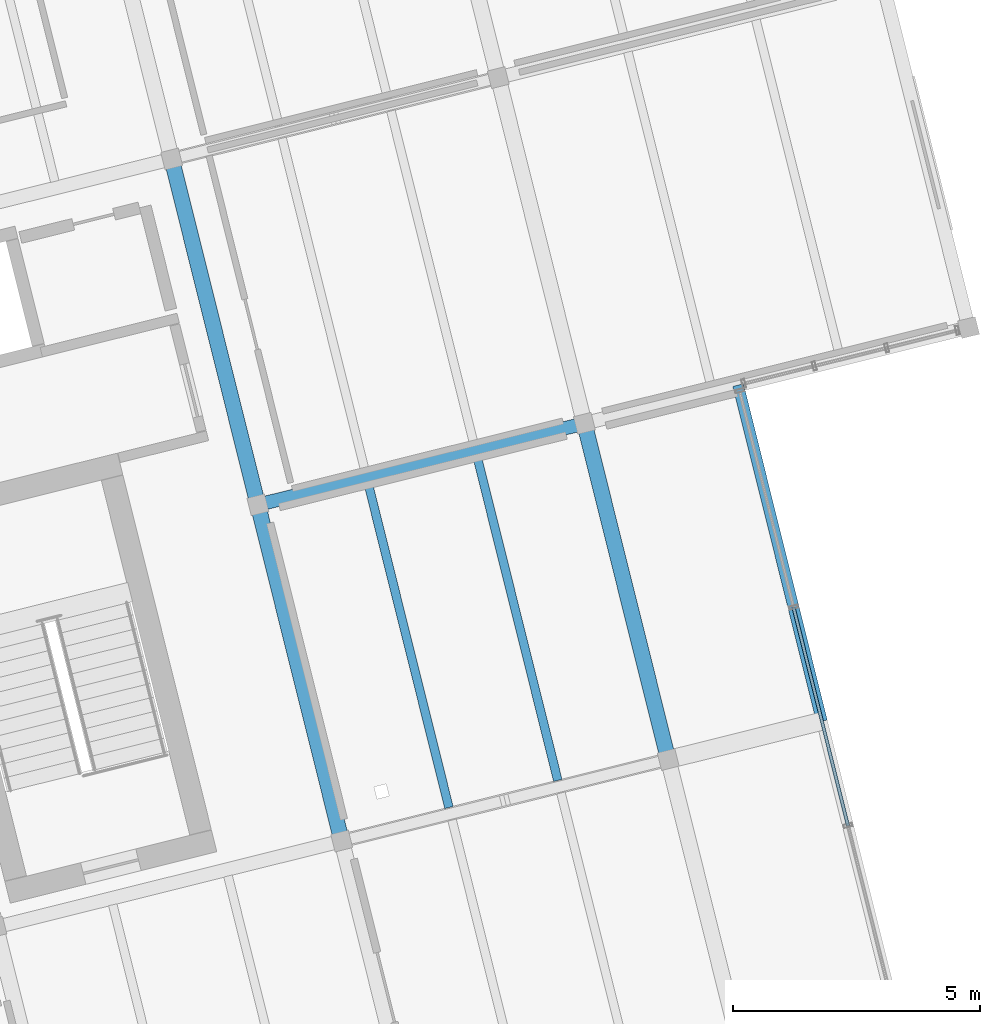
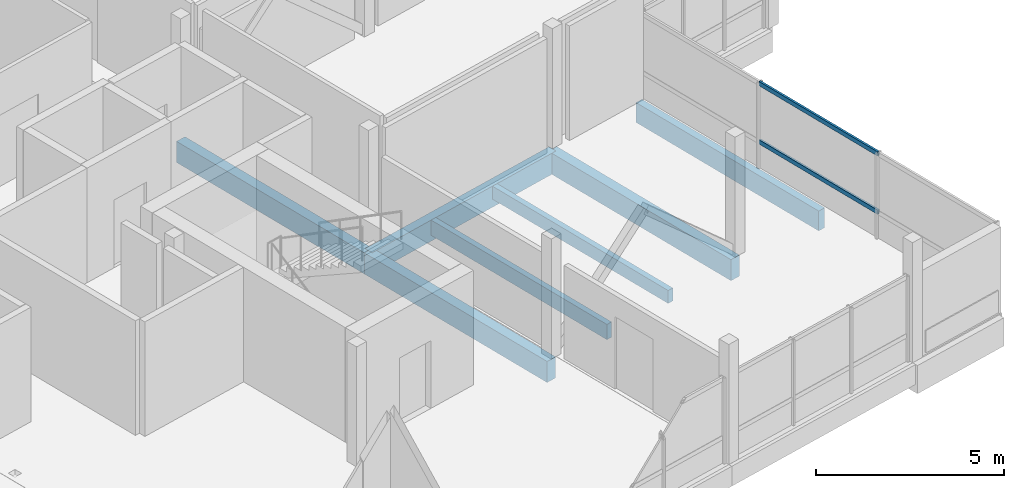
# One storey, part 13 of 28: 7 beams, 2 members, 1 element without a shape of its own.
"""IFC4 building model written with IfcOpenShell, lengths in metres."""

from ifc_helpers import new_model, si_unit, direction, frame, origin, origin_2d, place, context, subcontext, project, spatial, rectangle, hollow_rectangle, extrude, material, layer, layer_set, material_profile, profile_set, type_object, element, aggregate, save


model = new_model("IFC4")

# Units and contexts
model_context = context("Model", 3, precision=1e-05, world=origin(), true_north=direction((0.0, 1.0)))
body_context = subcontext(model_context, "Body", "Model", "MODEL_VIEW")
ifc_project = project(units=[si_unit("LENGTHUNIT", "METRE"), si_unit("AREAUNIT", "SQUARE_METRE"), si_unit("VOLUMEUNIT", "CUBIC_METRE"), si_unit("PLANEANGLEUNIT", "RADIAN"), si_unit("MASSUNIT", "GRAM", prefix="KILO")], contexts=[model_context])

# Site, building, storey
site_placement = place(None, origin())
site = spatial("IfcSite", under=ifc_project, at=site_placement, CompositionType="ELEMENT")
building_placement = place(site_placement, origin())
building = spatial("IfcBuilding", under=site, at=building_placement, Name="Meriwether Solvik Hall", CompositionType="ELEMENT")
storey_placement = place(building_placement, frame((0.0, 0.0, 37.800048828125)))
storey = spatial("IfcBuildingStorey", under=building, at=storey_placement, Name="L09", CompositionType="ELEMENT", Elevation=37.800048828125)

# Beams
ifc_material_1 = material(Name="Glulam Douglas-Fir 24F-V8 GL28h", Category="wood")
ifc_material_profile_1 = material_profile(ifc_material_1, rectangle(XDim=0.221923828125, YDim=0.64501953125, at=origin_2d()), Name="GLB-222X645")
ifc_profile_set_1 = profile_set([ifc_material_profile_1], Name="Glulam Douglas-Fir 24F-V8 GL28h")
beam_type_1 = type_object("IfcBeamType", Name="BM-GL-222X645", PredefinedType="SPANDREL", material=ifc_profile_set_1)
beam_1_placement = place(storey_placement, frame((104.990478515625, 57.28125, -0.50244140625), z_axis=(-0.241903692719, 0.970300264582, 0.0), x_axis=(-0.970300264582, -0.241903692719, 0.0)))
element("IfcBeam", 1, at=beam_1_placement, inside=storey, type_object=beam_type_1, Name="Shard Edge Spandrel 2 (L09)", PredefinedType="SPANDREL", context=body_context, shape_type="SweptSolid", body=[
    extrude(rectangle(XDim=0.221923828125, YDim=0.64501953125, at=origin_2d()), origin(), (0.0, 0.0, 1.0), 7.000244140625),
])
ifc_material_2 = material(Name="Glulam Douglas-Fir 24F-V8 GL28h", Category="wood")
ifc_material_profile_2 = material_profile(ifc_material_2, rectangle(XDim=0.27294921875, YDim=0.68505859375, at=origin_2d()), Name="GLB-273X685")
ifc_profile_set_2 = profile_set([ifc_material_profile_2], Name="Glulam Douglas-Fir 24F-V8 GL28h")
beam_type_2 = type_object("IfcBeamType", Name="BM-GL-273X685", PredefinedType="BEAM", material=ifc_profile_set_2)
beam_2_placement = place(storey_placement, frame((93.593994140625, 61.654296875, -0.5224609375), z_axis=(0.970298579828, 0.24191045034, 0.0), x_axis=(-0.24191045034, 0.970298579828, 0.0)))
element("IfcBeam", 2, at=beam_2_placement, inside=storey, type_object=beam_type_2, Name="Tower Girder TC:T5-T6 (L09)", PredefinedType="BEAM", context=body_context, shape_type="SweptSolid", body=[
    extrude(rectangle(XDim=0.27294921875, YDim=0.68505859375, at=origin_2d()), origin(), (0.0, 0.0, 1.0), 6.800048828125),
])
ifc_material_3 = material(Name="Glulam Douglas-Fir 24F-V8 GL28h", Category="wood")
ifc_material_profile_3 = material_profile(ifc_material_3, rectangle(XDim=0.31494140625, YDim=0.68505859375, at=origin_2d()), Name="GLB-315X685")
ifc_profile_set_3 = profile_set([ifc_material_profile_3], Name="Glulam Douglas-Fir 24F-V8 GL28h")
beam_type_3 = type_object("IfcBeamType", Name="BM-GL-315X685", PredefinedType="BEAM", material=ifc_profile_set_3)
beam_3_placement = place(storey_placement, frame((95.28759765625, 54.862060546875, -0.5224609375), z_axis=(-0.241936527961, 0.970292077901, 0.0), x_axis=(-0.970292077901, -0.241936527961, 0.0)))
element("IfcBeam", 3, at=beam_3_placement, inside=storey, type_object=beam_type_3, Name="Tower Girder T5:TB-TC (L09)", PredefinedType="BEAM", context=body_context, shape_type="SweptSolid", body=[
    extrude(rectangle(XDim=0.31494140625, YDim=0.68505859375, at=origin_2d()), origin(), (0.0, 0.0, 1.0), 7.000244140625),
])
beam_4_placement = place(storey_placement, frame((93.593994140625, 61.654296875, -0.5224609375), z_axis=(-0.241905269381, 0.970299871507, 0.0), x_axis=(-0.970299871507, -0.241905269381, 0.0)))
element("IfcBeam", 4, at=beam_4_placement, inside=storey, type_object=beam_type_3, Name="Tower Girder T5:TC-TD (L09)", PredefinedType="BEAM", context=body_context, shape_type="SweptSolid", body=[
    extrude(rectangle(XDim=0.31494140625, YDim=0.68505859375, at=origin_2d()), origin(), (0.0, 0.0, 1.0), 7.199951171875),
])
beam_5_placement = place(storey_placement, frame((101.885498046875, 56.507080078125, -0.5224609375), z_axis=(-0.241903692719, 0.970300264582, 0.0), x_axis=(-0.970300264582, -0.241903692719, 0.0)))
element("IfcBeam", 5, at=beam_5_placement, inside=storey, type_object=beam_type_3, Name="Tower Girder T6:TB-TC (L09)", PredefinedType="BEAM", context=body_context, shape_type="SweptSolid", body=[
    extrude(rectangle(XDim=0.31494140625, YDim=0.68505859375, at=origin_2d()), origin(), (0.0, 0.0, 1.0), 7.000244140625),
])

# Curtain wall, members
ifc_material_4 = material(Name="Thermally Broken Anodised Aluminium 6063-T6 and Low-E Glass", Category="aluminium")
ifc_layer = layer(ifc_material_4, 0.179931640625)
ifc_layer_set = layer_set([ifc_layer], Name="Thermally Broken Anodised Aluminium 6063-T6 and Low-E Glass")
curtain_wall_type = type_object("IfcCurtainWallType", Name="CW-UNIT-A", PredefinedType="USERDEFINED", material=ifc_layer_set)
curtain_wall_placement = place(storey_placement, origin())
curtain_wall = element("IfcCurtainWall", 6, at=curtain_wall_placement, inside=storey, type_object=curtain_wall_type, Name="Curtain Wall E1_B0 (L09)", ObjectType="UNITISED CURTAIN WALL", PredefinedType="USERDEFINED")
ifc_material_5 = material(Name="Anodised Aluminium 6063-T6", Category="aluminium")
ifc_material_profile_4 = material_profile(ifc_material_5, hollow_rectangle(XDim=0.06494140625, YDim=0.139892578125, WallThickness=0.00439453125, at=origin_2d()), Name="CWT-65X140")
ifc_profile_set_4 = profile_set([ifc_material_profile_4], Name="Anodised Aluminium 6063-T6")
member_type = type_object("IfcMemberType", Name="CW-TRN-65X140", PredefinedType="USERDEFINED", material=ifc_profile_set_4)
member_1_placement = place(storey_placement, frame((104.416259765625, 59.584228515625, 0.8369140625), z_axis=(0.24195440074, -0.970287621256, 0.0), x_axis=(0.970287621256, 0.24195440074, 0.0)))
member_1 = element("IfcMember", 7, at=member_1_placement, type_object=member_type, Name="Curtain Wall Transom 2-sill", ObjectType="TRANSOM", PredefinedType="USERDEFINED", context=body_context, shape_type="SweptSolid", body=[
    extrude(hollow_rectangle(XDim=0.06494140625, YDim=0.139892578125, WallThickness=0.00439453125, at=origin_2d()), origin(), (0.0, 0.0, 1.0), 4.546630859375),
])
member_2_placement = place(storey_placement, frame((104.416259765625, 59.584228515625, 2.72998046875), z_axis=(0.24195440074, -0.970287621256, 0.0), x_axis=(0.970287621256, 0.24195440074, 0.0)))
member_2 = element("IfcMember", 8, at=member_2_placement, type_object=member_type, Name="Curtain Wall Transom 2-head", ObjectType="TRANSOM", PredefinedType="USERDEFINED", context=body_context, shape_type="SweptSolid", body=[
    extrude(hollow_rectangle(XDim=0.06494140625, YDim=0.139892578125, WallThickness=0.00439453125, at=origin_2d()), origin(), (0.0, 0.0, 1.0), 4.546630859375),
])
aggregate(curtain_wall, [member_1, member_2])

# Beams
ifc_material_6 = material(Name="Glulam Douglas-Fir 24F-V8 GL28h", Category="wood")
ifc_material_profile_5 = material_profile(ifc_material_6, rectangle(XDim=0.175048828125, YDim=0.419921875, at=origin_2d()), Name="GLJ-175X420")
ifc_profile_set_5 = profile_set([ifc_material_profile_5], Name="Glulam Douglas-Fir 24F-V8 GL28h")
beam_type_4 = type_object("IfcBeamType", Name="JST-GL-175X420", PredefinedType="JOIST", material=ifc_profile_set_5)
beam_6_placement = place(storey_placement, frame((99.654296875, 56.08642578125, -0.39013671875), z_axis=(-0.241896058636, 0.970302167789, 0.0), x_axis=(-0.970302167789, -0.241896058636, 0.0)))
element("IfcBeam", 9, at=beam_6_placement, inside=storey, type_object=beam_type_4, Name="Glulam Floor Joist T5/TB-J2 (L09)", PredefinedType="JOIST", context=body_context, shape_type="SweptSolid", body=[
    extrude(rectangle(XDim=0.175048828125, YDim=0.419921875, at=origin_2d()), origin(), (0.0, 0.0, 1.0), 6.73681640625),
])
ifc_material_7 = material(Name="Glulam Douglas-Fir 24F-V8 GL28h", Category="wood")
ifc_material_profile_6 = material_profile(ifc_material_7, rectangle(XDim=0.175048828125, YDim=0.4951171875, at=origin_2d()), Name="GLJ-175X495")
ifc_profile_set_6 = profile_set([ifc_material_profile_6], Name="Glulam Douglas-Fir 24F-V8 GL28h")
beam_type_5 = type_object("IfcBeamType", Name="JST-GL-175X495", PredefinedType="JOIST", material=ifc_profile_set_6)
beam_7_placement = place(storey_placement, frame((97.455078125, 55.5380859375, -0.427490234375), z_axis=(-0.241930176813, 0.9702936615, 0.0), x_axis=(-0.9702936615, -0.241930176813, 0.0)))
element("IfcBeam", 10, at=beam_7_placement, inside=storey, type_object=beam_type_5, Name="Glulam Floor Joist T5/TB-J1 (L09)", PredefinedType="JOIST", context=body_context, shape_type="SweptSolid", body=[
    extrude(rectangle(XDim=0.175048828125, YDim=0.4951171875, at=origin_2d()), origin(), (0.0, 0.0, 1.0), 6.737060546875),
])

save(model, "model.ifc")
